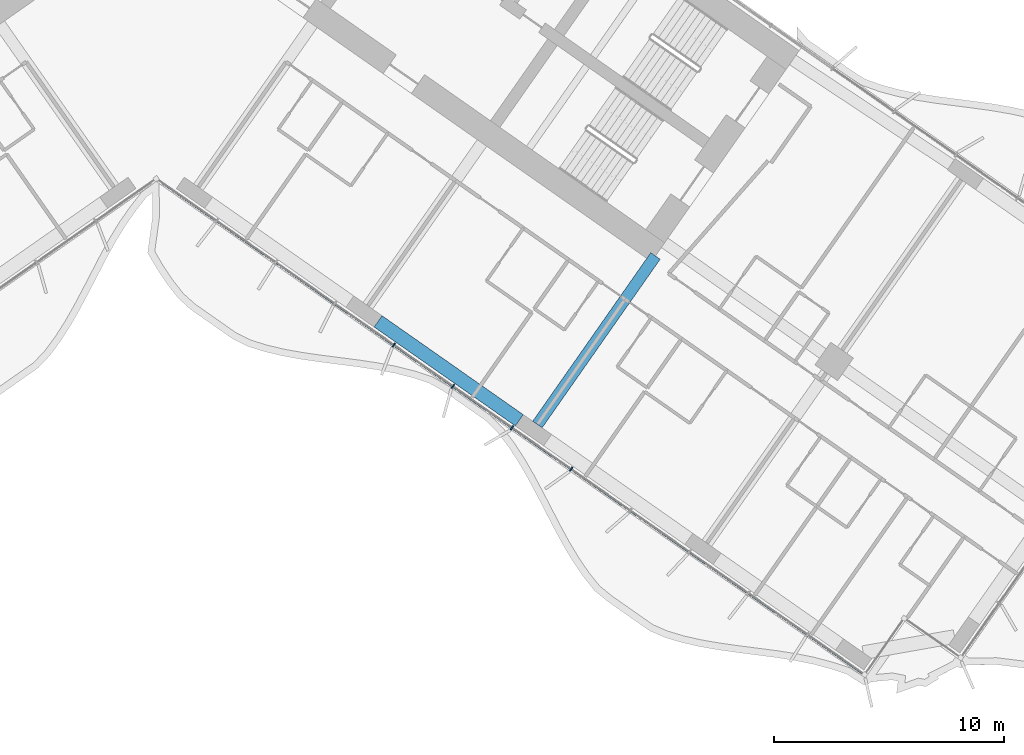
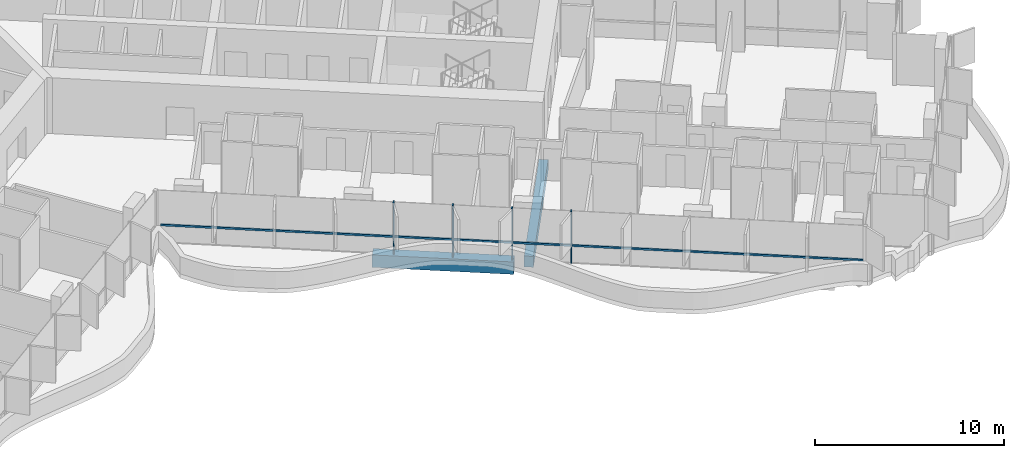
# One storey, part 5 of 25: 5 members, 2 beams, 1 element without a shape of its own.
"""IFC4 building model written with IfcOpenShell, lengths in metres."""

from ifc_helpers import new_model, si_unit, direction, frame, origin, origin_2d, place, context, subcontext, project, spatial, rectangle, extrude, material, material_profile, profile_set, type_object, element, aggregate, save


model = new_model("IFC4")

# Units and contexts
model_context = context("Model", 3, precision=1e-05, world=origin(), true_north=direction((0.0, 1.0)))
body_context = subcontext(model_context, "Body", "Model", "MODEL_VIEW")
ifc_project = project(units=[si_unit("LENGTHUNIT", "METRE"), si_unit("AREAUNIT", "SQUARE_METRE"), si_unit("VOLUMEUNIT", "CUBIC_METRE"), si_unit("PLANEANGLEUNIT", "RADIAN"), si_unit("MASSUNIT", "GRAM", prefix="KILO")], contexts=[model_context])

# Site, building, storey
site_placement = place(None, origin())
site = spatial("IfcSite", under=ifc_project, at=site_placement, CompositionType="ELEMENT")
building_placement = place(site_placement, origin())
building = spatial("IfcBuilding", under=site, at=building_placement, Name="Tel Ilan Convention Tower", CompositionType="ELEMENT")
storey_placement = place(building_placement, frame((0.0, 0.0, 58.10009765625)))
storey = spatial("IfcBuildingStorey", under=building, at=storey_placement, Name="L09", CompositionType="ELEMENT", Elevation=58.10009765625)

# Beams
ifc_material_1 = material(Name="Concrete C40/50", Category="concrete")
ifc_material_profile_1 = material_profile(ifc_material_1, rectangle(XDim=0.5, YDim=0.699951171875, at=origin_2d()), Name="RC 500x700")
ifc_profile_set_1 = profile_set([ifc_material_profile_1], Name="Concrete C40/50")
beam_type_1 = type_object("IfcBeamType", Name="Beam RC 500x700 Concrete C40/50", PredefinedType="BEAM", material=ifc_profile_set_1)
beam_1_placement = place(storey_placement, frame((16.58203125, -23.391357421875, -0.630126953125), z_axis=(0.573584999642, 0.819146048141, 0.0), x_axis=(-0.819146048141, 0.573584999642, 0.0)))
element("IfcBeam", 1, at=beam_1_placement, inside=storey, type_object=beam_type_1, Name="L09 beam E-E-F3-core", PredefinedType="BEAM", context=body_context, shape_type="SweptSolid", body=[
    extrude(rectangle(XDim=0.5, YDim=0.699951171875, at=origin_2d()), origin(), (0.0, 0.0, 1.0), 8.949951171875),
])
ifc_material_2 = material(Name="Concrete C40/50", Category="concrete")
ifc_material_profile_2 = material_profile(ifc_material_2, rectangle(XDim=0.60009765625, YDim=0.800048828125, at=origin_2d()), Name="RC 600x800")
ifc_profile_set_2 = profile_set([ifc_material_profile_2], Name="Concrete C40/50")
beam_type_2 = type_object("IfcBeamType", Name="Beam RC 600x800 Concrete C40/50", PredefinedType="BEAM", material=ifc_profile_set_2)
beam_2_placement = place(storey_placement, frame((9.652099609375, -18.905029296875, -0.68017578125), z_axis=(0.81915238829, -0.573575945067, 0.0), x_axis=(0.573575945067, 0.81915238829, 0.0)))
element("IfcBeam", 2, at=beam_2_placement, inside=storey, type_object=beam_type_2, Name="L09 beam E-E-F2-E-F3", PredefinedType="BEAM", context=body_context, shape_type="SweptSolid", body=[
    extrude(rectangle(XDim=0.60009765625, YDim=0.800048828125, at=origin_2d()), origin(), (0.0, 0.0, 1.0), 7.5),
])

# Curtain wall, members
ifc_material_3 = material(Name="Aluminium, bronze anodised", Category="aluminium")
curtain_wall_type = type_object("IfcCurtainWallType", Name="CW1 UNITISED CURTAIN WALL, HOTEL TINTED GLASS", PredefinedType="NOTDEFINED", material=ifc_material_3)
curtain_wall_placement = place(storey_placement, origin())
curtain_wall = element("IfcCurtainWall", 3, at=curtain_wall_placement, inside=storey, type_object=curtain_wall_type, Name="Curtain wall CW1-11.02", PredefinedType="NOTDEFINED")
ifc_material_4 = material(Name="Aluminium, bronze anodised", Category="aluminium")
ifc_material_profile_3 = material_profile(ifc_material_4, rectangle(XDim=0.06005859375, YDim=0.199951171875, at=origin_2d()), Name="CW MULLION 60x200")
ifc_profile_set_3 = profile_set([ifc_material_profile_3], Name="Aluminium, bronze anodised")
member_type_1 = type_object("IfcMemberType", Name="CW MULLION 60x200", PredefinedType="MULLION", material=ifc_profile_set_3)
member_1_placement = place(storey_placement, frame((10.337158203125, -19.93408203125, 0.0), z_axis=(0.0, 0.0, 1.0), x_axis=(0.819152044289, -0.573576436351, 0.0)))
member_1 = element("IfcMember", 4, at=member_1_placement, type_object=member_type_1, Name="Mullion", PredefinedType="MULLION", context=body_context, shape_type="SweptSolid", body=[
    extrude(rectangle(XDim=0.06005859375, YDim=0.199951171875, at=origin_2d()), origin(), (0.0, 0.0, 1.0), 3.31982421875),
])
member_2_placement = place(storey_placement, frame((12.906982421875, -21.733642578125, 0.0), z_axis=(0.0, 0.0, 1.0), x_axis=(0.819152044289, -0.573576436351, 0.0)))
member_2 = element("IfcMember", 5, at=member_2_placement, type_object=member_type_1, Name="Mullion", PredefinedType="MULLION", context=body_context, shape_type="SweptSolid", body=[
    extrude(rectangle(XDim=0.06005859375, YDim=0.199951171875, at=origin_2d()), origin(), (0.0, 0.0, 1.0), 3.31982421875),
])
member_3_placement = place(storey_placement, frame((15.47705078125, -23.533203125, 0.0), z_axis=(0.0, 0.0, 1.0), x_axis=(0.819152044289, -0.573576436351, 0.0)))
member_3 = element("IfcMember", 6, at=member_3_placement, type_object=member_type_1, Name="Mullion", PredefinedType="MULLION", context=body_context, shape_type="SweptSolid", body=[
    extrude(rectangle(XDim=0.06005859375, YDim=0.199951171875, at=origin_2d()), origin(), (0.0, 0.0, 1.0), 3.31982421875),
])
member_4_placement = place(storey_placement, frame((18.046875, -25.332763671875, 0.0), z_axis=(0.0, 0.0, 1.0), x_axis=(0.819152044289, -0.573576436351, 0.0)))
member_4 = element("IfcMember", 7, at=member_4_placement, type_object=member_type_1, Name="Mullion", PredefinedType="MULLION", context=body_context, shape_type="SweptSolid", body=[
    extrude(rectangle(XDim=0.06005859375, YDim=0.199951171875, at=origin_2d()), origin(), (0.0, 0.0, 1.0), 3.31982421875),
])
ifc_material_5 = material(Name="Aluminium, bronze anodised", Category="aluminium")
ifc_material_profile_4 = material_profile(ifc_material_5, rectangle(XDim=0.10009765625, YDim=0.1201171875, at=origin_2d()), Name="CW TRANSOM 100x120")
ifc_profile_set_4 = profile_set([ifc_material_profile_4], Name="Aluminium, bronze anodised")
member_type_2 = type_object("IfcMemberType", Name="CW TRANSOM 100x120", PredefinedType="USERDEFINED", material=ifc_profile_set_4)
member_5_placement = place(storey_placement, frame((0.22119140625, -12.850830078125, 1.099853515625), z_axis=(0.819152467103, -0.57357583251, 0.0), x_axis=(0.57357583251, 0.819152467103, 0.0)))
member_5 = element("IfcMember", 8, at=member_5_placement, type_object=member_type_2, Name="Transom", ObjectType="TRANSOM", PredefinedType="USERDEFINED", context=body_context, shape_type="SweptSolid", body=[
    extrude(rectangle(XDim=0.10009765625, YDim=0.1201171875, at=origin_2d()), origin(), (0.0, 0.0, 1.0), 37.247802734375),
])
aggregate(curtain_wall, [member_1, member_2, member_3, member_4, member_5])

save(model, "model.ifc")
